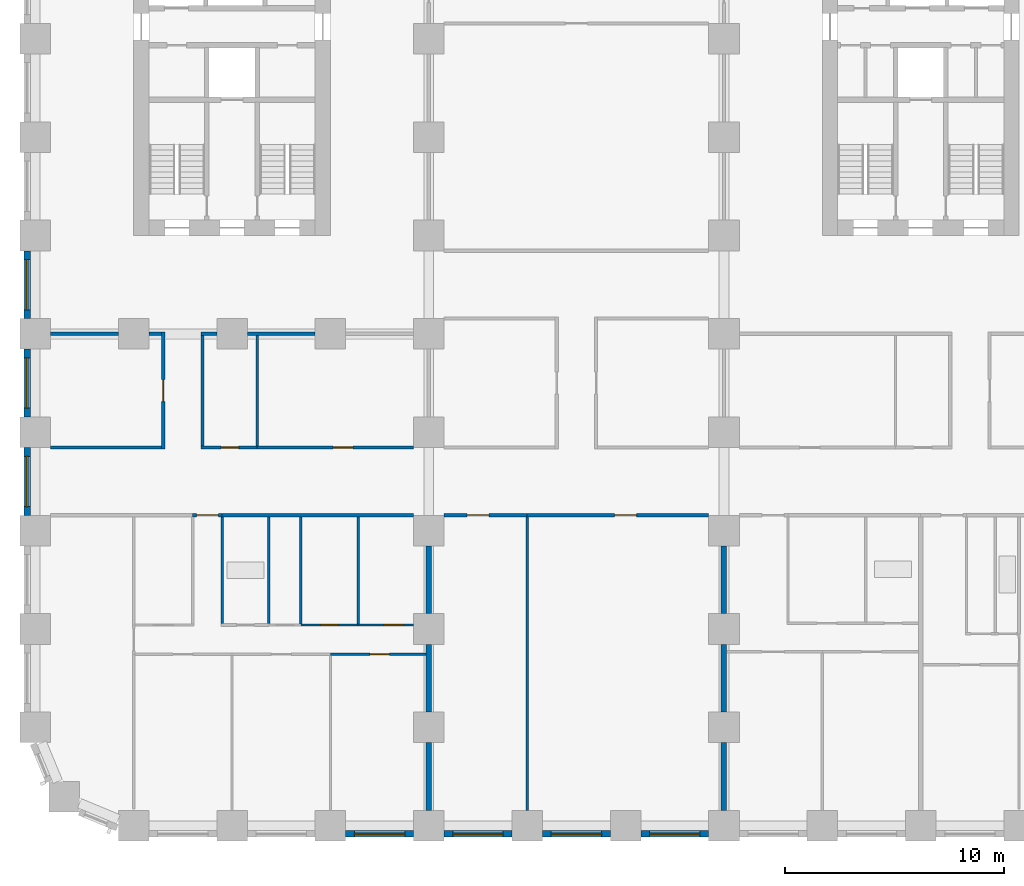
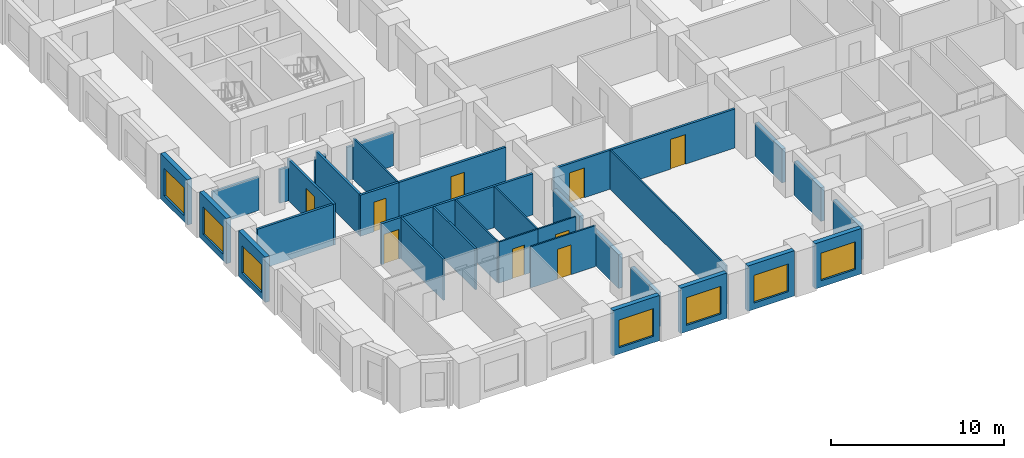
# One storey, part 3 of 12: 35 walls, 9 doors, 7 windows, 16 openings.
"""IFC4 building model written with IfcOpenShell, lengths in metres."""

from ifc_helpers import new_model, si_unit, direction, frame, frame_2d, origin, place, context, subcontext, project, spatial, rectangle, extrude, material, layer, layer_set, type_object, element, fill, save


model = new_model("IFC4")

# Units and contexts
model_context = context("Model", 3, precision=1e-05, world=origin(), true_north=direction((0.0, 1.0)))
body_context = subcontext(model_context, "Body", "Model", "MODEL_VIEW")
ifc_project = project(units=[si_unit("LENGTHUNIT", "METRE"), si_unit("AREAUNIT", "SQUARE_METRE"), si_unit("VOLUMEUNIT", "CUBIC_METRE"), si_unit("PLANEANGLEUNIT", "RADIAN"), si_unit("MASSUNIT", "GRAM", prefix="KILO")], contexts=[model_context])

# Site, building, storey
site_placement = place(None, origin())
site = spatial("IfcSite", under=ifc_project, at=site_placement, CompositionType="ELEMENT")
building_placement = place(site_placement, origin())
building = spatial("IfcBuilding", under=site, at=building_placement, Name="Girih Gate Residences", CompositionType="ELEMENT")
storey_placement = place(building_placement, frame((0.0, 0.0, 62.39990234375)))
storey = spatial("IfcBuildingStorey", under=building, at=storey_placement, Name="L16", CompositionType="ELEMENT", Elevation=62.39990234375)

# Walls
ifc_material_1 = material(Name="Gypsum board on steel studs", Category="steel")
ifc_layer_1 = layer(ifc_material_1, 0.25)
ifc_layer_set_1 = layer_set([ifc_layer_1], Name="Acoustic separating wall 250 mm")
wall_type_1 = type_object("IfcWallType", Name="Acoustic separating wall 250 mm", PredefinedType="PARTITIONING", material=ifc_layer_set_1)
for number, where, z_axis, x_axis, name in (
    (1, (18.0, 5.199951171875, 0.0), (0.0, 0.0, 1.0), (0.0, 1.0, 0.0), "L16 partition"),
    (2, (18.0, 0.699951171875, 0.0), (0.0, 0.0, 1.0), (0.0, 1.0, 0.0), "L16 partition"),
    (3, (18.0, 9.699951171875, 0.0), (0.0, 0.0, 1.0), (0.0, 1.0, 0.0), "L16 partition"),
    (4, (31.5, 9.699951171875, 0.0), (0.0, 0.0, 1.0), (0.0, 1.0, 0.0), "L16 partition"),
    (5, (31.5, 0.699951171875, 0.0), (0.0, 0.0, 1.0), (0.0, 1.0, 0.0), "L16 partition"),
    (6, (31.5, 5.199951171875, 0.0), (0.0, 0.0, 1.0), (0.0, 1.0, 0.0), "L16 partition"),
):
    element("IfcWall", number, at=place(storey_placement, frame(where, z_axis=z_axis, x_axis=x_axis)), inside=storey, type_object=wall_type_1, Name=name, PredefinedType="PARTITIONING", context=body_context, shape_type="SweptSolid", body=[
        extrude(rectangle(XDim=3.10009765625, YDim=0.25, at=frame_2d((1.550048828125, 0.0))), origin(), (0.0, 0.0, 1.0), 2.380126953125),
    ])
ifc_layer_2 = layer(ifc_material_1, 0.14990234375)
ifc_layer_set_2 = layer_set([ifc_layer_2], Name="Compartment wall 150 mm")
wall_type_2 = type_object("IfcWallType", Name="Compartment wall 150 mm", PredefinedType="PARTITIONING", material=ifc_layer_set_2)
wall_1_placement = place(storey_placement, frame((8.550048828125, 14.199951171875, 0.0), z_axis=(0.0, 0.0, 1.0), x_axis=(1.0, 0.0, 0.0)))
element("IfcWall", 7, at=wall_1_placement, inside=storey, type_object=wall_type_2, Name="L16 partition", PredefinedType="PARTITIONING", context=body_context, shape_type="SweptSolid", body=[
    extrude(rectangle(XDim=8.75, YDim=0.14990234375, at=frame_2d((4.375, 0.0))), origin(), (0.0, 0.0, 1.0), 2.900146484375),
])

# Wall, opening, door
wall_2_placement = place(storey_placement, frame((8.550048828125, 14.199951171875, 0.0), z_axis=(0.0, 0.0, 1.0), x_axis=(-1.0, 0.0, 0.0)))
wall_2 = element("IfcWall", 8, at=wall_2_placement, inside=storey, type_object=wall_type_2, Name="L16 partition", PredefinedType="PARTITIONING", context=body_context, shape_type="SweptSolid", body=[
    extrude(rectangle(XDim=1.35009765625, YDim=0.14990234375, at=frame_2d((0.675048828125, 0.0))), origin(), (0.0, 0.0, 1.0), 2.900146484375),
])
opening_1_placement = place(wall_2_placement, frame((0.175048828125, 0.0, 0.0)))
opening_1 = element("IfcOpeningElement", 9, at=opening_1_placement, cuts=wall_2, Name="Opening A16-010", PredefinedType="OPENING", context=body_context, shape_type="SweptSolid", body=[
    extrude(rectangle(XDim=1.0, YDim=2.10009765625, at=frame_2d((0.5, 1.050048828125))), frame((0.0, 0.0849609375, 0.0), z_axis=(0.0, -1.0, 0.0), x_axis=(1.0, 0.0, 0.0)), (0.0, 0.0, 1.0), 0.169921875),
])
ifc_material_2 = material(Name="Timber, fire-rated core", Category="wood")
door_type_1 = type_object("IfcDoorType", Name="Flat entrance door 1000x2100 FD30S", OperationType="NOTDEFINED", PredefinedType="DOOR", material=ifc_material_2)
door_1_placement = place(opening_1_placement, origin())
door_1 = element("IfcDoor", 10, at=door_1_placement, inside=storey, type_object=door_type_1, Name="Door A16-010", OperationType="SINGLE_SWING_RIGHT", OverallHeight=2.10009765625, OverallWidth=1.0, PredefinedType="DOOR", context=body_context, shape_type="SweptSolid", body=[
    extrude(rectangle(XDim=1.0, YDim=2.10009765625, at=frame_2d((0.5, 1.050048828125))), frame((0.0, 0.02490234375, 0.0), z_axis=(0.0, -1.0, 0.0), x_axis=(1.0, 0.0, 0.0)), (0.0, 0.0, 1.0), 0.050048828125),
])
fill(opening_1, door_1)

wall_3_placement = place(storey_placement, frame((22.5, 14.199951171875, 0.0), z_axis=(0.0, 0.0, 1.0), x_axis=(-1.0, 0.0, 0.0)))
wall_3 = element("IfcWall", 11, at=wall_3_placement, inside=storey, type_object=wall_type_2, Name="L16 partition", PredefinedType="PARTITIONING", context=body_context, shape_type="SweptSolid", body=[
    extrude(rectangle(XDim=3.800048828125, YDim=0.14990234375, at=frame_2d((1.89990234375, 0.0))), origin(), (0.0, 0.0, 1.0), 2.75),
])
opening_2_placement = place(wall_3_placement, frame((1.75, 0.0, 0.0)))
opening_2 = element("IfcOpeningElement", 12, at=opening_2_placement, cuts=wall_3, Name="Opening A16-043", PredefinedType="OPENING", context=body_context, shape_type="SweptSolid", body=[
    extrude(rectangle(XDim=1.0, YDim=2.10009765625, at=frame_2d((0.5, 1.050048828125))), frame((0.0, 0.0849609375, 0.0), z_axis=(0.0, -1.0, 0.0), x_axis=(1.0, 0.0, 0.0)), (0.0, 0.0, 1.0), 0.169921875),
])
door_type_2 = type_object("IfcDoorType", Name="Amenity room door 1000x2100 FD30S", OperationType="NOTDEFINED", PredefinedType="DOOR", material=ifc_material_2)
door_2_placement = place(opening_2_placement, origin())
door_2 = element("IfcDoor", 13, at=door_2_placement, inside=storey, type_object=door_type_2, Name="Door A16-043", OperationType="SINGLE_SWING_RIGHT", OverallHeight=2.10009765625, OverallWidth=1.0, PredefinedType="DOOR", context=body_context, shape_type="SweptSolid", body=[
    extrude(rectangle(XDim=1.0, YDim=2.10009765625, at=frame_2d((0.5, 1.050048828125))), frame((0.0, 0.02490234375, 0.0), z_axis=(0.0, -1.0, 0.0), x_axis=(1.0, 0.0, 0.0)), (0.0, 0.0, 1.0), 0.050048828125),
])
fill(opening_2, door_2)

wall_4_placement = place(storey_placement, frame((30.800048828125, 14.199951171875, 0.0), z_axis=(0.0, 0.0, 1.0), x_axis=(-1.0, 0.0, 0.0)))
wall_4 = element("IfcWall", 14, at=wall_4_placement, inside=storey, type_object=wall_type_2, Name="L16 partition", PredefinedType="PARTITIONING", context=body_context, shape_type="SweptSolid", body=[
    extrude(rectangle(XDim=8.300048828125, YDim=0.14990234375, at=frame_2d((4.14990234375, 0.0))), origin(), (0.0, 0.0, 1.0), 2.75),
])
opening_3_placement = place(wall_4_placement, frame((3.300048828125, 0.0, 0.0)))
opening_3 = element("IfcOpeningElement", 15, at=opening_3_placement, cuts=wall_4, Name="Opening A16-044", PredefinedType="OPENING", context=body_context, shape_type="SweptSolid", body=[
    extrude(rectangle(XDim=1.0, YDim=2.10009765625, at=frame_2d((0.5, 1.050048828125))), frame((0.0, 0.0849609375, 0.0), z_axis=(0.0, -1.0, 0.0), x_axis=(1.0, 0.0, 0.0)), (0.0, 0.0, 1.0), 0.169921875),
])
door_3_placement = place(opening_3_placement, origin())
door_3 = element("IfcDoor", 16, at=door_3_placement, inside=storey, type_object=door_type_2, Name="Door A16-044", OperationType="SINGLE_SWING_LEFT", OverallHeight=2.10009765625, OverallWidth=1.0, PredefinedType="DOOR", context=body_context, shape_type="SweptSolid", body=[
    extrude(rectangle(XDim=1.0, YDim=2.10009765625, at=frame_2d((0.5, 1.050048828125))), frame((0.0, 0.02490234375, 0.0), z_axis=(0.0, -1.0, 0.0), x_axis=(1.0, 0.0, 0.0)), (0.0, 0.0, 1.0), 0.050048828125),
])
fill(opening_3, door_3)

wall_5_placement = place(storey_placement, frame((10.14990234375, 17.300048828125, 0.0), z_axis=(0.0, 0.0, 1.0), x_axis=(1.0, 0.0, 0.0)))
wall_5 = element("IfcWall", 17, at=wall_5_placement, inside=storey, type_object=wall_type_2, Name="L16 partition", PredefinedType="PARTITIONING", context=body_context, shape_type="SweptSolid", body=[
    extrude(rectangle(XDim=7.150146484375, YDim=0.14990234375, at=frame_2d((3.5751953125, 0.0))), origin(), (0.0, 0.0, 1.0), 2.900146484375),
])
opening_4_placement = place(wall_5_placement, frame((3.47509765625, 0.0, 0.0)))
opening_4 = element("IfcOpeningElement", 18, at=opening_4_placement, cuts=wall_5, Name="Opening A16-048", PredefinedType="OPENING", context=body_context, shape_type="SweptSolid", body=[
    extrude(rectangle(XDim=0.89990234375, YDim=2.10009765625, at=frame_2d((0.449951171875, 1.050048828125))), frame((0.0, 0.0849609375, 0.0), z_axis=(0.0, -1.0, 0.0), x_axis=(1.0, 0.0, 0.0)), (0.0, 0.0, 1.0), 0.169921875),
])
ifc_material_3 = material(Name="Timber", Category="wood")
door_type_3 = type_object("IfcDoorType", Name="Service room door 900x2100", OperationType="NOTDEFINED", PredefinedType="DOOR", material=ifc_material_3)
door_4_placement = place(opening_4_placement, origin())
door_4 = element("IfcDoor", 19, at=door_4_placement, inside=storey, type_object=door_type_3, Name="Door A16-048", OperationType="SINGLE_SWING_RIGHT", OverallHeight=2.10009765625, OverallWidth=0.89990234375, PredefinedType="DOOR", context=body_context, shape_type="SweptSolid", body=[
    extrude(rectangle(XDim=0.89990234375, YDim=2.10009765625, at=frame_2d((0.449951171875, 1.050048828125))), frame((0.0, 0.02490234375, 0.0), z_axis=(0.0, -1.0, 0.0), x_axis=(1.0, 0.0, 0.0)), (0.0, 0.0, 1.0), 0.050048828125),
])
fill(opening_4, door_4)

wall_6_placement = place(storey_placement, frame((7.574951171875, 17.300048828125, 0.0), z_axis=(0.0, 0.0, 1.0), x_axis=(1.0, 0.0, 0.0)))
wall_6 = element("IfcWall", 20, at=wall_6_placement, inside=storey, type_object=wall_type_2, Name="L16 partition", PredefinedType="PARTITIONING", context=body_context, shape_type="SweptSolid", body=[
    extrude(rectangle(XDim=2.574951171875, YDim=0.14990234375, at=frame_2d((1.28759765625, 0.0))), origin(), (0.0, 0.0, 1.0), 2.900146484375),
])
opening_5_placement = place(wall_6_placement, frame((0.925048828125, 0.0, 0.0)))
opening_5 = element("IfcOpeningElement", 21, at=opening_5_placement, cuts=wall_6, Name="Opening A16-050", PredefinedType="OPENING", context=body_context, shape_type="SweptSolid", body=[
    extrude(rectangle(XDim=0.800048828125, YDim=2.10009765625, at=frame_2d((0.39990234375, 1.050048828125))), frame((0.0, 0.0849609375, 0.0), z_axis=(0.0, -1.0, 0.0), x_axis=(1.0, 0.0, 0.0)), (0.0, 0.0, 1.0), 0.169921875),
])
door_type_4 = type_object("IfcDoorType", Name="Bathroom door 800x2100", OperationType="NOTDEFINED", PredefinedType="DOOR", material=ifc_material_3)
door_5_placement = place(opening_5_placement, origin())
door_5 = element("IfcDoor", 22, at=door_5_placement, inside=storey, type_object=door_type_4, Name="Door A16-050", OperationType="SINGLE_SWING_RIGHT", OverallHeight=2.10009765625, OverallWidth=0.800048828125, PredefinedType="DOOR", context=body_context, shape_type="SweptSolid", body=[
    extrude(rectangle(XDim=0.800048828125, YDim=2.10009765625, at=frame_2d((0.39990234375, 1.050048828125))), frame((0.0, 0.02490234375, 0.0), z_axis=(0.0, -1.0, 0.0), x_axis=(1.0, 0.0, 0.0)), (0.0, 0.0, 1.0), 0.050048828125),
])
fill(opening_5, door_5)

# Walls
wall_7_placement = place(storey_placement, frame((0.699951171875, 17.300048828125, 0.0), z_axis=(0.0, 0.0, 1.0), x_axis=(1.0, 0.0, 0.0)))
element("IfcWall", 23, at=wall_7_placement, inside=storey, type_object=wall_type_2, Name="L16 partition", PredefinedType="PARTITIONING", context=body_context, shape_type="SweptSolid", body=[
    extrude(rectangle(XDim=5.074951171875, YDim=0.14990234375, at=frame_2d((2.53759765625, 0.0))), origin(), (0.0, 0.0, 1.0), 2.900146484375),
])
wall_8_placement = place(storey_placement, frame((9.699951171875, 22.5, 0.0), z_axis=(0.0, 0.0, 1.0), x_axis=(1.0, 0.0, 0.0)))
element("IfcWall", 24, at=wall_8_placement, inside=storey, type_object=wall_type_2, Name="L16 partition", PredefinedType="PARTITIONING", context=body_context, shape_type="SweptSolid", body=[
    extrude(rectangle(XDim=3.10009765625, YDim=0.14990234375, at=frame_2d((1.550048828125, 0.0))), origin(), (0.0, 0.0, 1.0), 2.380126953125),
])
wall_9_placement = place(storey_placement, frame((7.574951171875, 22.5, 0.0), z_axis=(0.0, 0.0, 1.0), x_axis=(1.0, 0.0, 0.0)))
element("IfcWall", 25, at=wall_9_placement, inside=storey, type_object=wall_type_2, Name="L16 partition", PredefinedType="PARTITIONING", context=body_context, shape_type="SweptSolid", body=[
    extrude(rectangle(XDim=0.72509765625, YDim=0.14990234375, at=frame_2d((0.362548828125, 0.0))), origin(), (0.0, 0.0, 1.0), 2.380126953125),
])
wall_10_placement = place(storey_placement, frame((5.199951171875, 22.5, 0.0), z_axis=(0.0, 0.0, 1.0), x_axis=(1.0, 0.0, 0.0)))
element("IfcWall", 26, at=wall_10_placement, inside=storey, type_object=wall_type_2, Name="L16 partition", PredefinedType="PARTITIONING", context=body_context, shape_type="SweptSolid", body=[
    extrude(rectangle(XDim=0.574951171875, YDim=0.14990234375, at=frame_2d((0.28759765625, 0.0))), origin(), (0.0, 0.0, 1.0), 2.380126953125),
])
wall_11_placement = place(storey_placement, frame((0.699951171875, 22.5, 0.0), z_axis=(0.0, 0.0, 1.0), x_axis=(1.0, 0.0, 0.0)))
element("IfcWall", 27, at=wall_11_placement, inside=storey, type_object=wall_type_2, Name="L16 partition", PredefinedType="PARTITIONING", context=body_context, shape_type="SweptSolid", body=[
    extrude(rectangle(XDim=3.10009765625, YDim=0.14990234375, at=frame_2d((1.550048828125, 0.0))), origin(), (0.0, 0.0, 1.0), 2.380126953125),
])
wall_12_placement = place(storey_placement, frame((7.64990234375, 17.375, 0.0), z_axis=(0.0, 0.0, 1.0), x_axis=(0.0, 1.0, 0.0)))
element("IfcWall", 28, at=wall_12_placement, inside=storey, type_object=wall_type_2, Name="L16 partition", PredefinedType="PARTITIONING", context=body_context, shape_type="SweptSolid", body=[
    extrude(rectangle(XDim=5.050048828125, YDim=0.14990234375, at=frame_2d((2.52490234375, 0.0))), origin(), (0.0, 0.0, 1.0), 2.900146484375),
])

# Wall, opening, door
wall_13_placement = place(storey_placement, frame((5.85009765625, 17.22509765625, 0.0), z_axis=(0.0, 0.0, 1.0), x_axis=(0.0, 1.0, 0.0)))
wall_13 = element("IfcWall", 29, at=wall_13_placement, inside=storey, type_object=wall_type_2, Name="L16 partition", PredefinedType="PARTITIONING", context=body_context, shape_type="SweptSolid", body=[
    extrude(rectangle(XDim=5.349853515625, YDim=0.14990234375, at=frame_2d((2.6748046875, 0.0))), origin(), (0.0, 0.0, 1.0), 2.900146484375),
])
opening_6_placement = place(wall_13_placement, frame((2.175048828125, 0.0, 0.0)))
opening_6 = element("IfcOpeningElement", 30, at=opening_6_placement, cuts=wall_13, Name="Opening A16-052", PredefinedType="OPENING", context=body_context, shape_type="SweptSolid", body=[
    extrude(rectangle(XDim=1.0, YDim=2.10009765625, at=frame_2d((0.5, 1.050048828125))), frame((0.0, 0.0849609375, 0.0), z_axis=(0.0, -1.0, 0.0), x_axis=(1.0, 0.0, 0.0)), (0.0, 0.0, 1.0), 0.169921875),
])
door_6_placement = place(opening_6_placement, origin())
door_6 = element("IfcDoor", 31, at=door_6_placement, inside=storey, type_object=door_type_2, Name="Door A16-052", OperationType="SINGLE_SWING_LEFT", OverallHeight=2.10009765625, OverallWidth=1.0, PredefinedType="DOOR", context=body_context, shape_type="SweptSolid", body=[
    extrude(rectangle(XDim=1.0, YDim=2.10009765625, at=frame_2d((0.5, 1.050048828125))), frame((0.0, 0.02490234375, 0.0), z_axis=(0.0, -1.0, 0.0), x_axis=(1.0, 0.0, 0.0)), (0.0, 0.0, 1.0), 0.050048828125),
])
fill(opening_6, door_6)

ifc_layer_3 = layer(ifc_material_1, 0.10009765625)
ifc_layer_set_3 = layer_set([ifc_layer_3], Name="Partition 100 mm")
wall_type_3 = type_object("IfcWallType", Name="Partition 100 mm", PredefinedType="PARTITIONING", material=ifc_layer_set_3)
wall_14_placement = place(storey_placement, frame((17.875, 7.840087890625, 0.0), z_axis=(0.0, 0.0, 1.0), x_axis=(-1.0, 0.0, 0.0)))
wall_14 = element("IfcWall", 32, at=wall_14_placement, inside=storey, type_object=wall_type_3, Name="L16 partition", PredefinedType="PARTITIONING", context=body_context, shape_type="SweptSolid", body=[
    extrude(rectangle(XDim=4.375, YDim=0.10009765625, at=frame_2d((2.1875, 0.0))), origin(), (0.0, 0.0, 1.0), 2.900146484375),
])
opening_7_placement = place(wall_14_placement, frame((1.675048828125, 0.0, 0.0)))
opening_7 = element("IfcOpeningElement", 33, at=opening_7_placement, cuts=wall_14, Name="Opening A16-004", PredefinedType="OPENING", context=body_context, shape_type="SweptSolid", body=[
    extrude(rectangle(XDim=0.89990234375, YDim=2.10009765625, at=frame_2d((0.449951171875, 1.050048828125))), frame((0.0, 0.06005859375, 0.0), z_axis=(0.0, -1.0, 0.0), x_axis=(1.0, 0.0, 0.0)), (0.0, 0.0, 1.0), 0.1201171875),
])
door_type_5 = type_object("IfcDoorType", Name="Bedroom door 900x2100", OperationType="NOTDEFINED", PredefinedType="DOOR", material=ifc_material_3)
door_7_placement = place(opening_7_placement, origin())
door_7 = element("IfcDoor", 34, at=door_7_placement, inside=storey, type_object=door_type_5, Name="Door A16-004", OperationType="SINGLE_SWING_LEFT", OverallHeight=2.10009765625, OverallWidth=0.89990234375, PredefinedType="DOOR", context=body_context, shape_type="SweptSolid", body=[
    extrude(rectangle(XDim=0.89990234375, YDim=2.10009765625, at=frame_2d((0.449951171875, 1.050048828125))), frame((0.0, 0.02490234375, 0.0), z_axis=(0.0, -1.0, 0.0), x_axis=(1.0, 0.0, 0.0)), (0.0, 0.0, 1.0), 0.050048828125),
])
fill(opening_7, door_7)

wall_15_placement = place(storey_placement, frame((12.143310546875, 9.179931640625, 0.0), z_axis=(0.0, 0.0, 1.0), x_axis=(1.0, 0.0, 0.0)))
wall_15 = element("IfcWall", 35, at=wall_15_placement, inside=storey, type_object=wall_type_3, Name="L16 partition", PredefinedType="PARTITIONING", context=body_context, shape_type="SweptSolid", body=[
    extrude(rectangle(XDim=2.627685546875, YDim=0.10009765625, at=frame_2d((1.31396484375, 0.0))), origin(), (0.0, 0.0, 1.0), 2.900146484375),
])
opening_8_placement = place(wall_15_placement, frame((0.913818359375, 0.0, 0.0)))
opening_8 = element("IfcOpeningElement", 36, at=opening_8_placement, cuts=wall_15, Name="Opening A16-005", PredefinedType="OPENING", context=body_context, shape_type="SweptSolid", body=[
    extrude(rectangle(XDim=0.800048828125, YDim=2.10009765625, at=frame_2d((0.39990234375, 1.050048828125))), frame((0.0, 0.06005859375, 0.0), z_axis=(0.0, -1.0, 0.0), x_axis=(1.0, 0.0, 0.0)), (0.0, 0.0, 1.0), 0.1201171875),
])
door_type_6 = type_object("IfcDoorType", Name="Store door 800x2100", OperationType="NOTDEFINED", PredefinedType="DOOR", material=ifc_material_3)
door_8_placement = place(opening_8_placement, origin())
door_8 = element("IfcDoor", 37, at=door_8_placement, inside=storey, type_object=door_type_6, Name="Door A16-005", OperationType="SINGLE_SWING_LEFT", OverallHeight=2.10009765625, OverallWidth=0.800048828125, PredefinedType="DOOR", context=body_context, shape_type="SweptSolid", body=[
    extrude(rectangle(XDim=0.800048828125, YDim=2.10009765625, at=frame_2d((0.39990234375, 1.050048828125))), frame((0.0, 0.02490234375, 0.0), z_axis=(0.0, -1.0, 0.0), x_axis=(1.0, 0.0, 0.0)), (0.0, 0.0, 1.0), 0.050048828125),
])
fill(opening_8, door_8)

# Walls
for number, where, z_axis, x_axis, name in (
    (38, (12.14306640625, 9.22998046875, 0.0), (0.0, 0.0, 1.0), (0.0, 1.0, 0.0), "L16 partition"),
    (39, (14.77099609375, 9.22998046875, 0.0), (0.0, 0.0, 1.0), (0.0, 1.0, 0.0), "L16 partition"),
):
    element("IfcWall", number, at=place(storey_placement, frame(where, z_axis=z_axis, x_axis=x_axis)), inside=storey, type_object=wall_type_3, Name=name, PredefinedType="PARTITIONING", context=body_context, shape_type="SweptSolid", body=[
        extrude(rectangle(XDim=4.89501953125, YDim=0.10009765625, at=frame_2d((2.447509765625, 0.0))), origin(), (0.0, 0.0, 1.0), 2.900146484375),
    ])

# Wall, opening, door
wall_16_placement = place(storey_placement, frame((14.77099609375, 9.179931640625, 0.0), z_axis=(0.0, 0.0, 1.0), x_axis=(1.0, 0.0, 0.0)))
wall_16 = element("IfcWall", 40, at=wall_16_placement, inside=storey, type_object=wall_type_3, Name="L16 partition", PredefinedType="PARTITIONING", context=body_context, shape_type="SweptSolid", body=[
    extrude(rectangle(XDim=2.529052734375, YDim=0.10009765625, at=frame_2d((1.2646484375, 0.0))), origin(), (0.0, 0.0, 1.0), 2.900146484375),
])
opening_9_placement = place(wall_16_placement, frame((1.16455078125, 0.0, 0.0)))
opening_9 = element("IfcOpeningElement", 41, at=opening_9_placement, cuts=wall_16, Name="Opening A16-009", PredefinedType="OPENING", context=body_context, shape_type="SweptSolid", body=[
    extrude(rectangle(XDim=0.89990234375, YDim=2.10009765625, at=frame_2d((0.449951171875, 1.050048828125))), frame((0.0, 0.06005859375, 0.0), z_axis=(0.0, -1.0, 0.0), x_axis=(1.0, 0.0, 0.0)), (0.0, 0.0, 1.0), 0.1201171875),
])
door_9_placement = place(opening_9_placement, origin())
door_9 = element("IfcDoor", 42, at=door_9_placement, inside=storey, type_object=door_type_5, Name="Door A16-009", OperationType="SINGLE_SWING_RIGHT", OverallHeight=2.10009765625, OverallWidth=0.89990234375, PredefinedType="DOOR", context=body_context, shape_type="SweptSolid", body=[
    extrude(rectangle(XDim=0.89990234375, YDim=2.10009765625, at=frame_2d((0.449951171875, 1.050048828125))), frame((0.0, 0.02490234375, 0.0), z_axis=(0.0, -1.0, 0.0), x_axis=(1.0, 0.0, 0.0)), (0.0, 0.0, 1.0), 0.050048828125),
])
fill(opening_9, door_9)

# Walls
wall_17_placement = place(storey_placement, frame((22.5, 0.699951171875, 0.0), z_axis=(0.0, 0.0, 1.0), x_axis=(0.0, 1.0, 0.0)))
element("IfcWall", 43, at=wall_17_placement, inside=storey, type_object=wall_type_3, Name="L16 partition", PredefinedType="PARTITIONING", context=body_context, shape_type="SweptSolid", body=[
    extrude(rectangle(XDim=13.425048828125, YDim=0.10009765625, at=frame_2d((6.71240234375, 0.0))), origin(), (0.0, 0.0, 1.0), 2.75),
])
wall_18_placement = place(storey_placement, frame((10.14990234375, 17.375, 0.0), z_axis=(0.0, 0.0, 1.0), x_axis=(0.0, 1.0, 0.0)))
element("IfcWall", 44, at=wall_18_placement, inside=storey, type_object=wall_type_3, Name="L16 partition", PredefinedType="PARTITIONING", context=body_context, shape_type="SweptSolid", body=[
    extrude(rectangle(XDim=5.050048828125, YDim=0.10009765625, at=frame_2d((2.52490234375, 0.0))), origin(), (0.0, 0.0, 1.0), 2.900146484375),
])

# Wall, opening, window
ifc_material_4 = material(Name="Precast concrete C50/60", Category="concrete")
ifc_layer_4 = layer(ifc_material_4, 0.080078125, Name="Outer leaf")
ifc_material_5 = material(Name="Rigid PIR insulation")
ifc_layer_5 = layer(ifc_material_5, 0.14990234375, Name="Insulation")
ifc_material_6 = material(Name="Precast concrete C40/50", Category="concrete")
ifc_layer_6 = layer(ifc_material_6, 0.070068359375, Name="Inner leaf")
ifc_layer_set_4 = layer_set([ifc_layer_4, ifc_layer_5, ifc_layer_6], Name="Precast concrete C50/60 external wall 300")
wall_type_4 = type_object("IfcWallType", Name="Precast concrete C50/60 external wall 300", PredefinedType="SOLIDWALL", material=ifc_layer_set_4)
wall_19_placement = place(storey_placement, frame((17.300048828125, -0.375, 0.0), z_axis=(0.0, 0.0, 1.0), x_axis=(-1.0, 0.0, 0.0)))
wall_19 = element("IfcWall", 45, at=wall_19_placement, inside=storey, type_object=wall_type_4, Name="External wall S0045_0000.2", PredefinedType="SOLIDWALL", context=body_context, shape_type="SweptSolid", body=[
    extrude(rectangle(XDim=3.10009765625, YDim=0.300048828125, at=frame_2d((1.550048828125, 0.0))), origin(), (0.0, 0.0, 1.0), 3.2001953125),
])
opening_10_placement = place(wall_19_placement, frame((0.39990234375, 0.0, 0.449951171875)))
opening_10 = element("IfcOpeningElement", 46, at=opening_10_placement, cuts=wall_19, Name="Opening W-1", PredefinedType="OPENING", context=body_context, shape_type="SweptSolid", body=[
    extrude(rectangle(XDim=2.300048828125, YDim=1.949951171875, at=frame_2d((1.14990234375, 0.97509765625))), frame((0.0, 0.159912109375, 0.0), z_axis=(0.0, -1.0, 0.0), x_axis=(1.0, 0.0, 0.0)), (0.0, 0.0, 1.0), 0.320068359375),
])
ifc_material_7 = material(Name="Double glazing in aluminium frame", Category="aluminium")
window_type = type_object("IfcWindowType", Name="Window W-1 2300x1950", PartitioningType="SINGLE_PANEL", PredefinedType="WINDOW", material=ifc_material_7)
window_1_placement = place(opening_10_placement, origin())
window_1 = element("IfcWindow", 47, at=window_1_placement, inside=storey, type_object=window_type, Name="Window W-1 S0045_0000.2", OverallHeight=1.949951171875, OverallWidth=2.300048828125, PartitioningType="SINGLE_PANEL", PredefinedType="WINDOW", context=body_context, shape_type="SweptSolid", body=[
    extrude(rectangle(XDim=2.300048828125, YDim=1.949951171875, at=frame_2d((1.14990234375, 0.97509765625))), frame((0.0, 0.030029296875, 0.0), z_axis=(0.0, -1.0, 0.0), x_axis=(1.0, 0.0, 0.0)), (0.0, 0.0, 1.0), 0.06005859375),
])
fill(opening_10, window_1)

wall_20_placement = place(storey_placement, frame((21.800048828125, -0.375, 0.0), z_axis=(0.0, 0.0, 1.0), x_axis=(-1.0, 0.0, 0.0)))
wall_20 = element("IfcWall", 48, at=wall_20_placement, inside=storey, type_object=wall_type_4, Name="External wall S0045_0000.3", PredefinedType="SOLIDWALL", context=body_context, shape_type="SweptSolid", body=[
    extrude(rectangle(XDim=3.10009765625, YDim=0.300048828125, at=frame_2d((1.550048828125, 0.0))), origin(), (0.0, 0.0, 1.0), 3.2001953125),
])
opening_11_placement = place(wall_20_placement, frame((0.39990234375, 0.0, 0.449951171875)))
opening_11 = element("IfcOpeningElement", 49, at=opening_11_placement, cuts=wall_20, Name="Opening W-1", PredefinedType="OPENING", context=body_context, shape_type="SweptSolid", body=[
    extrude(rectangle(XDim=2.300048828125, YDim=1.949951171875, at=frame_2d((1.14990234375, 0.97509765625))), frame((0.0, 0.159912109375, 0.0), z_axis=(0.0, -1.0, 0.0), x_axis=(1.0, 0.0, 0.0)), (0.0, 0.0, 1.0), 0.320068359375),
])
window_2_placement = place(opening_11_placement, origin())
window_2 = element("IfcWindow", 50, at=window_2_placement, inside=storey, type_object=window_type, Name="Window W-1 S0045_0000.3", OverallHeight=1.949951171875, OverallWidth=2.300048828125, PartitioningType="SINGLE_PANEL", PredefinedType="WINDOW", context=body_context, shape_type="SweptSolid", body=[
    extrude(rectangle(XDim=2.300048828125, YDim=1.949951171875, at=frame_2d((1.14990234375, 0.97509765625))), frame((0.0, 0.030029296875, 0.0), z_axis=(0.0, -1.0, 0.0), x_axis=(1.0, 0.0, 0.0)), (0.0, 0.0, 1.0), 0.06005859375),
])
fill(opening_11, window_2)

wall_21_placement = place(storey_placement, frame((26.300048828125, -0.375, 0.0), z_axis=(0.0, 0.0, 1.0), x_axis=(-1.0, 0.0, 0.0)))
wall_21 = element("IfcWall", 51, at=wall_21_placement, inside=storey, type_object=wall_type_4, Name="External wall S0045_0000.4", PredefinedType="SOLIDWALL", context=body_context, shape_type="SweptSolid", body=[
    extrude(rectangle(XDim=3.10009765625, YDim=0.300048828125, at=frame_2d((1.550048828125, 0.0))), origin(), (0.0, 0.0, 1.0), 3.2001953125),
])
opening_12_placement = place(wall_21_placement, frame((0.39990234375, 0.0, 0.449951171875)))
opening_12 = element("IfcOpeningElement", 52, at=opening_12_placement, cuts=wall_21, Name="Opening W-1", PredefinedType="OPENING", context=body_context, shape_type="SweptSolid", body=[
    extrude(rectangle(XDim=2.300048828125, YDim=1.949951171875, at=frame_2d((1.14990234375, 0.97509765625))), frame((0.0, 0.159912109375, 0.0), z_axis=(0.0, -1.0, 0.0), x_axis=(1.0, 0.0, 0.0)), (0.0, 0.0, 1.0), 0.320068359375),
])
window_3_placement = place(opening_12_placement, origin())
window_3 = element("IfcWindow", 53, at=window_3_placement, inside=storey, type_object=window_type, Name="Window W-1 S0045_0000.4", OverallHeight=1.949951171875, OverallWidth=2.300048828125, PartitioningType="SINGLE_PANEL", PredefinedType="WINDOW", context=body_context, shape_type="SweptSolid", body=[
    extrude(rectangle(XDim=2.300048828125, YDim=1.949951171875, at=frame_2d((1.14990234375, 0.97509765625))), frame((0.0, 0.030029296875, 0.0), z_axis=(0.0, -1.0, 0.0), x_axis=(1.0, 0.0, 0.0)), (0.0, 0.0, 1.0), 0.06005859375),
])
fill(opening_12, window_3)

wall_22_placement = place(storey_placement, frame((30.800048828125, -0.375, 0.0), z_axis=(0.0, 0.0, 1.0), x_axis=(-1.0, 0.0, 0.0)))
wall_22 = element("IfcWall", 54, at=wall_22_placement, inside=storey, type_object=wall_type_4, Name="External wall S0045_0000.5", PredefinedType="SOLIDWALL", context=body_context, shape_type="SweptSolid", body=[
    extrude(rectangle(XDim=3.10009765625, YDim=0.300048828125, at=frame_2d((1.550048828125, 0.0))), origin(), (0.0, 0.0, 1.0), 3.2001953125),
])
opening_13_placement = place(wall_22_placement, frame((0.39990234375, 0.0, 0.449951171875)))
opening_13 = element("IfcOpeningElement", 55, at=opening_13_placement, cuts=wall_22, Name="Opening W-1", PredefinedType="OPENING", context=body_context, shape_type="SweptSolid", body=[
    extrude(rectangle(XDim=2.300048828125, YDim=1.949951171875, at=frame_2d((1.14990234375, 0.97509765625))), frame((0.0, 0.159912109375, 0.0), z_axis=(0.0, -1.0, 0.0), x_axis=(1.0, 0.0, 0.0)), (0.0, 0.0, 1.0), 0.320068359375),
])
window_4_placement = place(opening_13_placement, origin())
window_4 = element("IfcWindow", 56, at=window_4_placement, inside=storey, type_object=window_type, Name="Window W-1 S0045_0000.5", OverallHeight=1.949951171875, OverallWidth=2.300048828125, PartitioningType="SINGLE_PANEL", PredefinedType="WINDOW", context=body_context, shape_type="SweptSolid", body=[
    extrude(rectangle(XDim=2.300048828125, YDim=1.949951171875, at=frame_2d((1.14990234375, 0.97509765625))), frame((0.0, 0.030029296875, 0.0), z_axis=(0.0, -1.0, 0.0), x_axis=(1.0, 0.0, 0.0)), (0.0, 0.0, 1.0), 0.06005859375),
])
fill(opening_13, window_4)

wall_23_placement = place(storey_placement, frame((-0.375, 23.199951171875, 0.0), z_axis=(0.0, 0.0, 1.0), x_axis=(0.0, 1.0, 0.0)))
wall_23 = element("IfcWall", 57, at=wall_23_placement, inside=storey, type_object=wall_type_4, Name="External wall W0000_0450.4", PredefinedType="SOLIDWALL", context=body_context, shape_type="SweptSolid", body=[
    extrude(rectangle(XDim=3.10009765625, YDim=0.300048828125, at=frame_2d((1.550048828125, 0.0))), origin(), (0.0, 0.0, 1.0), 3.2001953125),
])
opening_14_placement = place(wall_23_placement, frame((0.39990234375, 0.0, 0.449951171875)))
opening_14 = element("IfcOpeningElement", 58, at=opening_14_placement, cuts=wall_23, Name="Opening W-1", PredefinedType="OPENING", context=body_context, shape_type="SweptSolid", body=[
    extrude(rectangle(XDim=2.300048828125, YDim=1.949951171875, at=frame_2d((1.14990234375, 0.97509765625))), frame((0.0, 0.159912109375, 0.0), z_axis=(0.0, -1.0, 0.0), x_axis=(1.0, 0.0, 0.0)), (0.0, 0.0, 1.0), 0.320068359375),
])
window_5_placement = place(opening_14_placement, origin())
window_5 = element("IfcWindow", 59, at=window_5_placement, inside=storey, type_object=window_type, Name="Window W-1 W0000_0450.4", OverallHeight=1.949951171875, OverallWidth=2.300048828125, PartitioningType="SINGLE_PANEL", PredefinedType="WINDOW", context=body_context, shape_type="SweptSolid", body=[
    extrude(rectangle(XDim=2.300048828125, YDim=1.949951171875, at=frame_2d((1.14990234375, 0.97509765625))), frame((0.0, 0.030029296875, 0.0), z_axis=(0.0, -1.0, 0.0), x_axis=(1.0, 0.0, 0.0)), (0.0, 0.0, 1.0), 0.06005859375),
])
fill(opening_14, window_5)

wall_24_placement = place(storey_placement, frame((-0.375, 18.699951171875, 0.0), z_axis=(0.0, 0.0, 1.0), x_axis=(0.0, 1.0, 0.0)))
wall_24 = element("IfcWall", 60, at=wall_24_placement, inside=storey, type_object=wall_type_4, Name="External wall W0000_0450.5", PredefinedType="SOLIDWALL", context=body_context, shape_type="SweptSolid", body=[
    extrude(rectangle(XDim=3.10009765625, YDim=0.300048828125, at=frame_2d((1.550048828125, 0.0))), origin(), (0.0, 0.0, 1.0), 3.2001953125),
])
opening_15_placement = place(wall_24_placement, frame((0.39990234375, 0.0, 0.449951171875)))
opening_15 = element("IfcOpeningElement", 61, at=opening_15_placement, cuts=wall_24, Name="Opening W-1", PredefinedType="OPENING", context=body_context, shape_type="SweptSolid", body=[
    extrude(rectangle(XDim=2.300048828125, YDim=1.949951171875, at=frame_2d((1.14990234375, 0.97509765625))), frame((0.0, 0.159912109375, 0.0), z_axis=(0.0, -1.0, 0.0), x_axis=(1.0, 0.0, 0.0)), (0.0, 0.0, 1.0), 0.320068359375),
])
window_6_placement = place(opening_15_placement, origin())
window_6 = element("IfcWindow", 62, at=window_6_placement, inside=storey, type_object=window_type, Name="Window W-1 W0000_0450.5", OverallHeight=1.949951171875, OverallWidth=2.300048828125, PartitioningType="SINGLE_PANEL", PredefinedType="WINDOW", context=body_context, shape_type="SweptSolid", body=[
    extrude(rectangle(XDim=2.300048828125, YDim=1.949951171875, at=frame_2d((1.14990234375, 0.97509765625))), frame((0.0, 0.030029296875, 0.0), z_axis=(0.0, -1.0, 0.0), x_axis=(1.0, 0.0, 0.0)), (0.0, 0.0, 1.0), 0.06005859375),
])
fill(opening_15, window_6)

wall_25_placement = place(storey_placement, frame((-0.375, 14.199951171875, 0.0), z_axis=(0.0, 0.0, 1.0), x_axis=(0.0, 1.0, 0.0)))
wall_25 = element("IfcWall", 63, at=wall_25_placement, inside=storey, type_object=wall_type_4, Name="External wall W0000_0450.6", PredefinedType="SOLIDWALL", context=body_context, shape_type="SweptSolid", body=[
    extrude(rectangle(XDim=3.10009765625, YDim=0.300048828125, at=frame_2d((1.550048828125, 0.0))), origin(), (0.0, 0.0, 1.0), 3.2001953125),
])
opening_16_placement = place(wall_25_placement, frame((0.39990234375, 0.0, 0.449951171875)))
opening_16 = element("IfcOpeningElement", 64, at=opening_16_placement, cuts=wall_25, Name="Opening W-1", PredefinedType="OPENING", context=body_context, shape_type="SweptSolid", body=[
    extrude(rectangle(XDim=2.300048828125, YDim=1.949951171875, at=frame_2d((1.14990234375, 0.97509765625))), frame((0.0, 0.159912109375, 0.0), z_axis=(0.0, -1.0, 0.0), x_axis=(1.0, 0.0, 0.0)), (0.0, 0.0, 1.0), 0.320068359375),
])
window_7_placement = place(opening_16_placement, origin())
window_7 = element("IfcWindow", 65, at=window_7_placement, inside=storey, type_object=window_type, Name="Window W-1 W0000_0450.6", OverallHeight=1.949951171875, OverallWidth=2.300048828125, PartitioningType="SINGLE_PANEL", PredefinedType="WINDOW", context=body_context, shape_type="SweptSolid", body=[
    extrude(rectangle(XDim=2.300048828125, YDim=1.949951171875, at=frame_2d((1.14990234375, 0.97509765625))), frame((0.0, 0.030029296875, 0.0), z_axis=(0.0, -1.0, 0.0), x_axis=(1.0, 0.0, 0.0)), (0.0, 0.0, 1.0), 0.06005859375),
])
fill(opening_16, window_7)

# Walls
ifc_layer_7 = layer(ifc_material_1, 0.125)
ifc_layer_set_5 = layer_set([ifc_layer_7], Name="Wet room wall 125 mm")
wall_type_5 = type_object("IfcWallType", Name="Wet room wall 125 mm", PredefinedType="PARTITIONING", material=ifc_layer_set_5)
for number, where, z_axis, x_axis, name in (
    (66, (8.550048828125, 9.242431640625, 0.0), (0.0, 0.0, 1.0), (0.0, 1.0, 0.0), "L16 partition"),
    (67, (10.68408203125, 9.242431640625, 0.0), (0.0, 0.0, 1.0), (0.0, 1.0, 0.0), "L16 partition"),
):
    element("IfcWall", number, at=place(storey_placement, frame(where, z_axis=z_axis, x_axis=x_axis)), inside=storey, type_object=wall_type_5, Name=name, PredefinedType="PARTITIONING", context=body_context, shape_type="SweptSolid", body=[
        extrude(rectangle(XDim=4.882568359375, YDim=0.125, at=frame_2d((2.44140625, 0.0))), origin(), (0.0, 0.0, 1.0), 2.900146484375),
    ])

save(model, "model.ifc")
